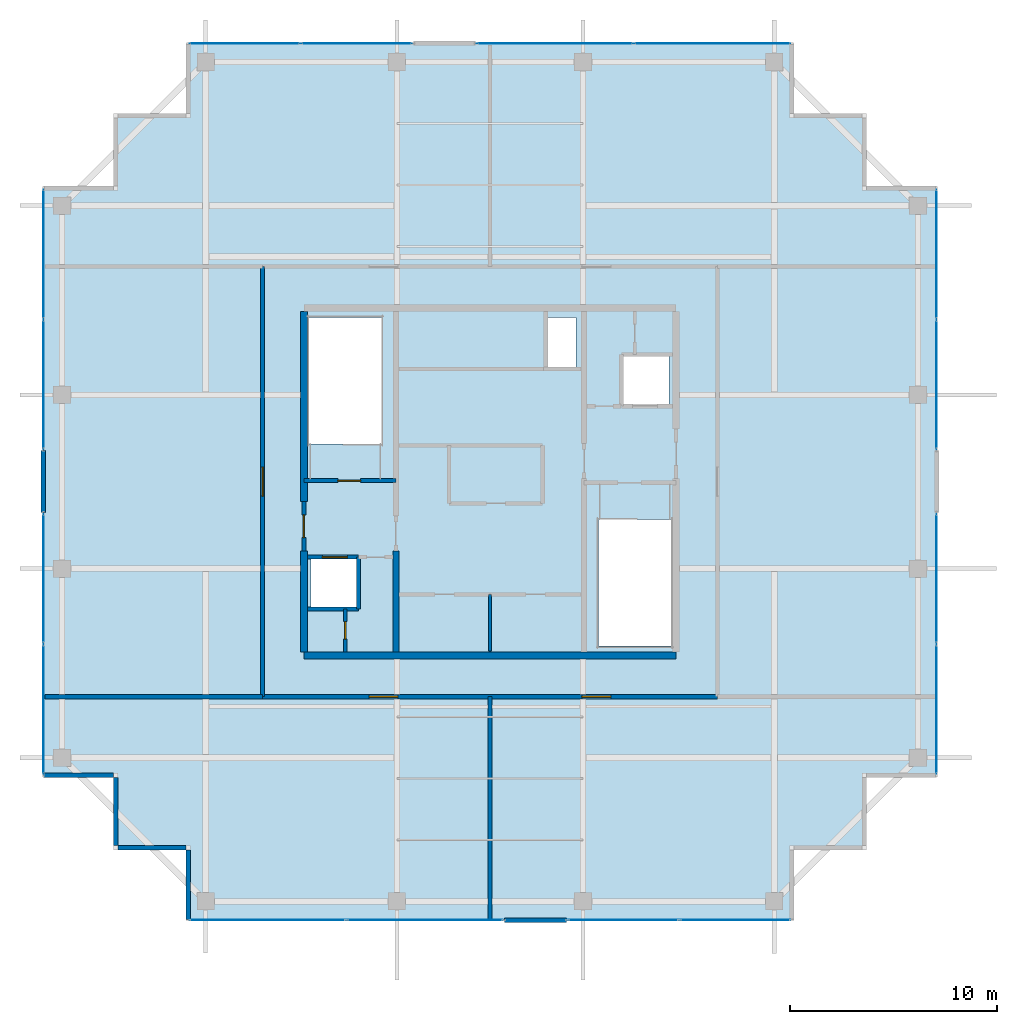
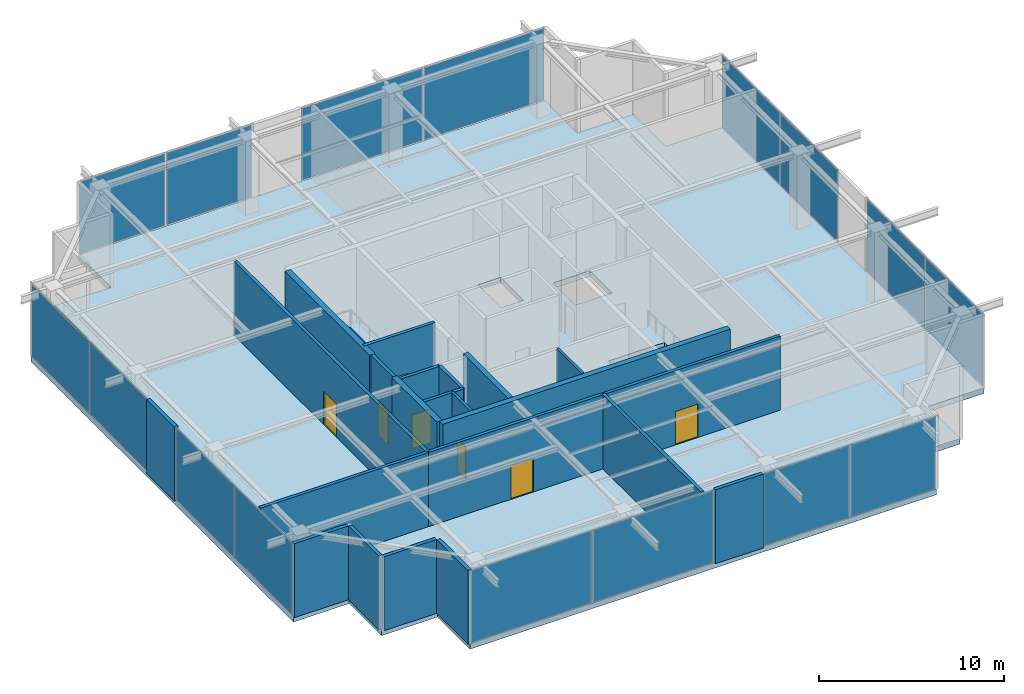
# One storey, part 24 of 27: 21 walls, 16 plates, 7 doors, 1 slab, 7 openings, 8 elements without a shape of their own.
"""IFC4 building model written with IfcOpenShell, lengths in metres."""

from ifc_helpers import new_model, si_unit, direction, frame, frame_2d, origin, origin_2d, place, context, subcontext, project, spatial, polyline, rectangle, outline, extrude, source, transform, mapped, material, layer, layer_set, type_object, element, fill, aggregate, save


model = new_model("IFC4")

# Units and contexts
model_context = context("Model", 3, precision=1e-05, world=origin(), true_north=direction((0.0, 1.0)))
body_context = subcontext(model_context, "Body", "Model", "MODEL_VIEW")
ifc_project = project(units=[si_unit("LENGTHUNIT", "METRE"), si_unit("AREAUNIT", "SQUARE_METRE"), si_unit("VOLUMEUNIT", "CUBIC_METRE"), si_unit("PLANEANGLEUNIT", "RADIAN"), si_unit("MASSUNIT", "GRAM", prefix="KILO")], contexts=[model_context])

# Site, building, storey
site_placement = place(None, origin())
site = spatial("IfcSite", under=ifc_project, at=site_placement, CompositionType="ELEMENT")
building_placement = place(site_placement, origin())
building = spatial("IfcBuilding", under=site, at=building_placement, Name="Serunith Strait Residences", CompositionType="ELEMENT")
storey_placement = place(building_placement, frame((0.0, 0.0, 365.75)))
storey = spatial("IfcBuildingStorey", under=building, at=storey_placement, Name="L89", CompositionType="ELEMENT", Elevation=365.75)

# Slab
ifc_material_1 = material(Name="Concrete C70/85", Category="concrete")
ifc_layer_1 = layer(ifc_material_1, 0.360107421875, Name="Concrete C70/85")
ifc_layer_set_1 = layer_set([ifc_layer_1], Name="Concrete C70/85")
slab_type = type_object("IfcSlabType", Name="SLB-PLT-360", PredefinedType="FLOOR", material=ifc_layer_set_1)
slab_placement = place(storey_placement, frame((0.0, 0.0, -0.360107421875)))
element("IfcSlab", 1, at=slab_placement, inside=storey, type_object=slab_type, Name="L89 Structural Floor Plate", PredefinedType="FLOOR", context=body_context, shape_type="SweptSolid", body=[
    extrude(outline(polyline([(17.800048828125, 7.5), (14.300048828125, 7.5), (14.300048828125, 11.0), (10.800048828125, 11.0), (10.800048828125, 39.39990234375), (14.300048828125, 39.39990234375), (14.300048828125, 42.89990234375), (17.800048828125, 42.89990234375), (17.800048828125, 46.39990234375), (47.0, 46.39990234375), (47.0, 42.89990234375), (50.5, 42.89990234375), (50.5, 39.39990234375), (54.0, 39.39990234375), (54.0, 11.0), (50.5, 11.0), (50.5, 7.5), (47.0, 7.5), (47.0, 4.0), (17.800048828125, 4.0), (17.800048828125, 7.5)]), holes=[polyline([(41.14990234375, 23.3701171875), (37.64990234375, 23.3701171875), (37.64990234375, 17.25), (41.14990234375, 17.25), (41.14990234375, 23.3701171875)]), polyline([(38.75, 31.25), (38.75, 28.85009765625), (41.050048828125, 28.85009765625), (41.050048828125, 31.25), (38.75, 31.25)]), polyline([(36.550048828125, 33.14990234375), (35.14990234375, 33.14990234375), (35.14990234375, 30.64990234375), (36.550048828125, 30.64990234375), (36.550048828125, 33.14990234375)]), polyline([(23.64990234375, 33.14990234375), (23.64990234375, 27.030029296875), (27.14990234375, 27.030029296875), (27.14990234375, 33.14990234375), (23.64990234375, 33.14990234375)]), polyline([(23.75, 21.550048828125), (23.75, 19.14990234375), (26.050048828125, 19.14990234375), (26.050048828125, 21.550048828125), (23.75, 21.550048828125)])]), origin(), (0.0, 0.0, 1.0), 0.360107421875),
])

# Curtain wall, plates
ifc_material_2 = material(Name="Pale-Silver Anodised Aluminium", Category="aluminium")
ifc_layer_2 = layer(ifc_material_2, 0.199951171875, Name="Pale-Silver Anodised Aluminium")
ifc_layer_set_2 = layer_set([ifc_layer_2], Name="Pale-Silver Anodised Aluminium")
curtain_wall_type = type_object("IfcCurtainWallType", Name="CW-SYS7", PredefinedType="NOTDEFINED", material=ifc_layer_set_2)
curtain_wall_1_placement = place(storey_placement, origin())
curtain_wall_1 = element("IfcCurtainWall", 2, at=curtain_wall_1_placement, inside=storey, type_object=curtain_wall_type, Name="L89 S Unitised Fritted Curtain Wall", PredefinedType="NOTDEFINED")
ifc_material_3 = material(Name="Crown Conservatory Fritted Glazing 26mm", Category="glass")
ifc_layer_3 = layer(ifc_material_3, 0.02587890625, Name="Crown Conservatory Fritted Glazing 26mm")
ifc_layer_set_3 = layer_set([ifc_layer_3], Name="Crown Conservatory Fritted Glazing 26mm")
plate_type = type_object("IfcPlateType", Name="CW-SYS7-PNL", PredefinedType="CURTAIN_PANEL", material=ifc_layer_set_3)
shared_shape_1 = source(origin(), body_context, "Body", "SweptSolid", [
    extrude(rectangle(XDim=7.5419921875, YDim=0.02587890625, at=origin_2d()), origin(), (0.0, 0.0, 1.0), 4.764892578125),
])
plate_1_placement = place(storey_placement, frame((21.64306640625, 4.0, 0.06005859375), z_axis=(0.0, 0.0, 1.0), x_axis=(1.0, 0.0, 0.0)))
plate_1 = element("IfcPlate", 3, at=plate_1_placement, type_object=plate_type, Name="CW-7 panel 1.1", PredefinedType="CURTAIN_PANEL", context=body_context, shape_type="MappedRepresentation", body=[
    mapped(shared_shape_1, transform((0.0, 0.0, 0.0), scale=1.0)),
])
plate_2_placement = place(storey_placement, frame((29.257080078125, 4.0, 0.06005859375), z_axis=(0.0, 0.0, 1.0), x_axis=(1.0, 0.0, 0.0)))
plate_2 = element("IfcPlate", 4, at=plate_2_placement, type_object=plate_type, Name="CW-7 panel 2.1", PredefinedType="CURTAIN_PANEL", context=body_context, shape_type="MappedRepresentation", body=[
    mapped(shared_shape_1, transform((0.0, 0.0, 0.0), scale=1.0)),
])
aggregate(curtain_wall_1, [plate_1, plate_2])

curtain_wall_2_placement = place(storey_placement, origin())
curtain_wall_2 = element("IfcCurtainWall", 5, at=curtain_wall_2_placement, inside=storey, type_object=curtain_wall_type, Name="L89 N Unitised Fritted Curtain Wall", PredefinedType="NOTDEFINED")
plate_3_placement = place(storey_placement, frame((43.156982421875, 46.39990234375, 0.06005859375), z_axis=(0.0, 0.0, 1.0), x_axis=(-1.0, 0.0, 0.0)))
plate_3 = element("IfcPlate", 6, at=plate_3_placement, type_object=plate_type, Name="CW-7 panel 1.1", PredefinedType="CURTAIN_PANEL", context=body_context, shape_type="MappedRepresentation", body=[
    mapped(shared_shape_1, transform((0.0, 0.0, 0.0), scale=1.0)),
])
plate_4_placement = place(storey_placement, frame((35.54296875, 46.39990234375, 0.06005859375), z_axis=(0.0, 0.0, 1.0), x_axis=(-1.0, 0.0, 0.0)))
plate_4 = element("IfcPlate", 7, at=plate_4_placement, type_object=plate_type, Name="CW-7 panel 2.1", PredefinedType="CURTAIN_PANEL", context=body_context, shape_type="MappedRepresentation", body=[
    mapped(shared_shape_1, transform((0.0, 0.0, 0.0), scale=1.0)),
])
aggregate(curtain_wall_2, [plate_3, plate_4])

curtain_wall_3_placement = place(storey_placement, origin())
curtain_wall_3 = element("IfcCurtainWall", 8, at=curtain_wall_3_placement, inside=storey, type_object=curtain_wall_type, Name="L89 S Unitised Fritted Curtain Wall", PredefinedType="NOTDEFINED")
shared_shape_2 = source(origin(), body_context, "Body", "SweptSolid", [
    extrude(rectangle(XDim=5.342041015625, YDim=0.02587890625, at=origin_2d()), origin(), (0.0, 0.0, 1.0), 4.764892578125),
])
plate_5_placement = place(storey_placement, frame((38.843017578125, 4.0, 0.06005859375), z_axis=(0.0, 0.0, 1.0), x_axis=(1.0, 0.0, 0.0)))
plate_5 = element("IfcPlate", 9, at=plate_5_placement, type_object=plate_type, Name="CW-7 panel 1.1", PredefinedType="CURTAIN_PANEL", context=body_context, shape_type="MappedRepresentation", body=[
    mapped(shared_shape_2, transform((0.0, 0.0, 0.0), scale=1.0)),
])
plate_6_placement = place(storey_placement, frame((44.257080078125, 4.0, 0.06005859375), z_axis=(0.0, 0.0, 1.0), x_axis=(1.0, 0.0, 0.0)))
plate_6 = element("IfcPlate", 10, at=plate_6_placement, type_object=plate_type, Name="CW-7 panel 2.1", PredefinedType="CURTAIN_PANEL", context=body_context, shape_type="MappedRepresentation", body=[
    mapped(shared_shape_2, transform((0.0, 0.0, 0.0), scale=1.0)),
])
aggregate(curtain_wall_3, [plate_5, plate_6])

curtain_wall_4_placement = place(storey_placement, origin())
curtain_wall_4 = element("IfcCurtainWall", 11, at=curtain_wall_4_placement, inside=storey, type_object=curtain_wall_type, Name="L89 N Unitised Fritted Curtain Wall", PredefinedType="NOTDEFINED")
plate_7_placement = place(storey_placement, frame((25.95703125, 46.39990234375, 0.06005859375), z_axis=(0.0, 0.0, 1.0), x_axis=(-1.0, 0.0, 0.0)))
plate_7 = element("IfcPlate", 12, at=plate_7_placement, type_object=plate_type, Name="CW-7 panel 1.1", PredefinedType="CURTAIN_PANEL", context=body_context, shape_type="MappedRepresentation", body=[
    mapped(shared_shape_2, transform((0.0, 0.0, 0.0), scale=1.0)),
])
plate_8_placement = place(storey_placement, frame((20.54296875, 46.39990234375, 0.06005859375), z_axis=(0.0, 0.0, 1.0), x_axis=(-1.0, 0.0, 0.0)))
plate_8 = element("IfcPlate", 13, at=plate_8_placement, type_object=plate_type, Name="CW-7 panel 2.1", PredefinedType="CURTAIN_PANEL", context=body_context, shape_type="MappedRepresentation", body=[
    mapped(shared_shape_2, transform((0.0, 0.0, 0.0), scale=1.0)),
])
aggregate(curtain_wall_4, [plate_7, plate_8])

curtain_wall_5_placement = place(storey_placement, origin())
curtain_wall_5 = element("IfcCurtainWall", 14, at=curtain_wall_5_placement, inside=storey, type_object=curtain_wall_type, Name="L89 E Unitised Fritted Curtain Wall", PredefinedType="NOTDEFINED")
shared_shape_3 = source(origin(), body_context, "Body", "SweptSolid", [
    extrude(rectangle(XDim=6.241943359375, YDim=0.02587890625, at=origin_2d()), origin(), (0.0, 0.0, 1.0), 4.764892578125),
])
plate_9_placement = place(storey_placement, frame((54.0, 14.193115234375, 0.06005859375), z_axis=(0.0, 0.0, 1.0), x_axis=(0.0, 1.0, 0.0)))
plate_9 = element("IfcPlate", 15, at=plate_9_placement, type_object=plate_type, Name="CW-7 panel 1.1", PredefinedType="CURTAIN_PANEL", context=body_context, shape_type="MappedRepresentation", body=[
    mapped(shared_shape_3, transform((0.0, 0.0, 0.0), scale=1.0)),
])
plate_10_placement = place(storey_placement, frame((54.0, 20.507080078125, 0.06005859375), z_axis=(0.0, 0.0, 1.0), x_axis=(0.0, 1.0, 0.0)))
plate_10 = element("IfcPlate", 16, at=plate_10_placement, type_object=plate_type, Name="CW-7 panel 2.1", PredefinedType="CURTAIN_PANEL", context=body_context, shape_type="MappedRepresentation", body=[
    mapped(shared_shape_3, transform((0.0, 0.0, 0.0), scale=1.0)),
])
aggregate(curtain_wall_5, [plate_9, plate_10])

curtain_wall_6_placement = place(storey_placement, origin())
curtain_wall_6 = element("IfcCurtainWall", 17, at=curtain_wall_6_placement, inside=storey, type_object=curtain_wall_type, Name="L89 E Unitised Fritted Curtain Wall", PredefinedType="NOTDEFINED")
plate_11_placement = place(storey_placement, frame((54.0, 29.89306640625, 0.06005859375), z_axis=(0.0, 0.0, 1.0), x_axis=(0.0, 1.0, 0.0)))
plate_11 = element("IfcPlate", 18, at=plate_11_placement, type_object=plate_type, Name="CW-7 panel 1.1", PredefinedType="CURTAIN_PANEL", context=body_context, shape_type="MappedRepresentation", body=[
    mapped(shared_shape_3, transform((0.0, 0.0, 0.0), scale=1.0)),
])
plate_12_placement = place(storey_placement, frame((54.0, 36.20703125, 0.06005859375), z_axis=(0.0, 0.0, 1.0), x_axis=(0.0, 1.0, 0.0)))
plate_12 = element("IfcPlate", 19, at=plate_12_placement, type_object=plate_type, Name="CW-7 panel 2.1", PredefinedType="CURTAIN_PANEL", context=body_context, shape_type="MappedRepresentation", body=[
    mapped(shared_shape_3, transform((0.0, 0.0, 0.0), scale=1.0)),
])
aggregate(curtain_wall_6, [plate_11, plate_12])

curtain_wall_7_placement = place(storey_placement, origin())
curtain_wall_7 = element("IfcCurtainWall", 20, at=curtain_wall_7_placement, inside=storey, type_object=curtain_wall_type, Name="L89 W Unitised Fritted Curtain Wall", PredefinedType="NOTDEFINED")
plate_13_placement = place(storey_placement, frame((10.800048828125, 36.20703125, 0.06005859375), z_axis=(0.0, 0.0, 1.0), x_axis=(0.0, -1.0, 0.0)))
plate_13 = element("IfcPlate", 21, at=plate_13_placement, type_object=plate_type, Name="CW-7 panel 1.1", PredefinedType="CURTAIN_PANEL", context=body_context, shape_type="MappedRepresentation", body=[
    mapped(shared_shape_3, transform((0.0, 0.0, 0.0), scale=1.0)),
])
plate_14_placement = place(storey_placement, frame((10.800048828125, 29.89306640625, 0.06005859375), z_axis=(0.0, 0.0, 1.0), x_axis=(0.0, -1.0, 0.0)))
plate_14 = element("IfcPlate", 22, at=plate_14_placement, type_object=plate_type, Name="CW-7 panel 2.1", PredefinedType="CURTAIN_PANEL", context=body_context, shape_type="MappedRepresentation", body=[
    mapped(shared_shape_3, transform((0.0, 0.0, 0.0), scale=1.0)),
])
aggregate(curtain_wall_7, [plate_13, plate_14])

curtain_wall_8_placement = place(storey_placement, origin())
curtain_wall_8 = element("IfcCurtainWall", 23, at=curtain_wall_8_placement, inside=storey, type_object=curtain_wall_type, Name="L89 W Unitised Fritted Curtain Wall", PredefinedType="NOTDEFINED")
plate_15_placement = place(storey_placement, frame((10.800048828125, 20.507080078125, 0.06005859375), z_axis=(0.0, 0.0, 1.0), x_axis=(0.0, -1.0, 0.0)))
plate_15 = element("IfcPlate", 24, at=plate_15_placement, type_object=plate_type, Name="CW-7 panel 1.1", PredefinedType="CURTAIN_PANEL", context=body_context, shape_type="MappedRepresentation", body=[
    mapped(shared_shape_3, transform((0.0, 0.0, 0.0), scale=1.0)),
])
plate_16_placement = place(storey_placement, frame((10.800048828125, 14.193115234375, 0.06005859375), z_axis=(0.0, 0.0, 1.0), x_axis=(0.0, -1.0, 0.0)))
plate_16 = element("IfcPlate", 25, at=plate_16_placement, type_object=plate_type, Name="CW-7 panel 2.1", PredefinedType="CURTAIN_PANEL", context=body_context, shape_type="MappedRepresentation", body=[
    mapped(shared_shape_3, transform((0.0, 0.0, 0.0), scale=1.0)),
])
aggregate(curtain_wall_8, [plate_15, plate_16])

# Walls
ifc_material_4 = material(Name="Pale-Champagne Aluminium Insulated Panel", Category="aluminium")
ifc_layer_4 = layer(ifc_material_4, 0.219970703125, Name="Pale-Champagne Aluminium Insulated Panel")
ifc_layer_set_4 = layer_set([ifc_layer_4], Name="Pale-Champagne Aluminium Insulated Panel")
wall_type_1 = type_object("IfcWallType", Name="EW-ALUM-220", PredefinedType="ELEMENTEDWALL", material=ifc_layer_set_4)
for number, where, z_axis, x_axis, name in (
    (26, (33.10009765625, 4.0, 0.0), (0.0, 0.0, 1.0), (1.0, 0.0, 0.0), "L89 S Facade Pier Wall"),
    (27, (10.800048828125, 26.699951171875, 0.0), (0.0, 0.0, 1.0), (0.0, -1.0, 0.0), "L89 W Facade Pier Wall"),
):
    element("IfcWall", number, at=place(storey_placement, frame(where, z_axis=z_axis, x_axis=x_axis)), inside=storey, type_object=wall_type_1, Name=name, PredefinedType="ELEMENTEDWALL", context=body_context, shape_type="SweptSolid", body=[
        extrude(rectangle(XDim=3.0, YDim=0.219970703125, at=frame_2d((1.5, 0.0))), origin(), (0.0, 0.0, 1.0), 4.885009765625),
    ])
wall_1_placement = place(storey_placement, frame((10.800048828125, 11.0, 0.0), z_axis=(0.0, 0.0, 1.0), x_axis=(1.0, 0.0, 0.0)))
element("IfcWall", 28, at=wall_1_placement, inside=storey, type_object=wall_type_1, Name="L89 Girih Serrated Corner Wall 17", PredefinedType="ELEMENTEDWALL", context=body_context, shape_type="SweptSolid", body=[
    extrude(rectangle(XDim=3.389892578125, YDim=0.219970703125, at=frame_2d((1.69482421875, 0.0))), origin(), (0.0, 0.0, 1.0), 4.885009765625),
])
wall_2_placement = place(storey_placement, frame((14.300048828125, 10.889892578125, 0.0), z_axis=(0.0, 0.0, 1.0), x_axis=(0.0, -1.0, 0.0)))
element("IfcWall", 29, at=wall_2_placement, inside=storey, type_object=wall_type_1, Name="L89 Girih Serrated Corner Wall 18", PredefinedType="ELEMENTEDWALL", context=body_context, shape_type="SweptSolid", body=[
    extrude(rectangle(XDim=3.27978515625, YDim=0.219970703125, at=frame_2d((1.639892578125, 0.0))), origin(), (0.0, 0.0, 1.0), 4.885009765625),
])
wall_3_placement = place(storey_placement, frame((14.409912109375, 7.5, 0.0), z_axis=(0.0, 0.0, 1.0), x_axis=(1.0, 0.0, 0.0)))
element("IfcWall", 30, at=wall_3_placement, inside=storey, type_object=wall_type_1, Name="L89 Girih Serrated Corner Wall 19", PredefinedType="ELEMENTEDWALL", context=body_context, shape_type="SweptSolid", body=[
    extrude(rectangle(XDim=3.280029296875, YDim=0.219970703125, at=frame_2d((1.64013671875, 0.0))), origin(), (0.0, 0.0, 1.0), 4.885009765625),
])
wall_4_placement = place(storey_placement, frame((17.800048828125, 7.389892578125, 0.0), z_axis=(0.0, 0.0, 1.0), x_axis=(0.0, -1.0, 0.0)))
element("IfcWall", 31, at=wall_4_placement, inside=storey, type_object=wall_type_1, Name="L89 Girih Serrated Corner Wall 20", PredefinedType="ELEMENTEDWALL", context=body_context, shape_type="SweptSolid", body=[
    extrude(rectangle(XDim=3.389892578125, YDim=0.219970703125, at=frame_2d((1.69482421875, 0.0))), origin(), (0.0, 0.0, 1.0), 4.885009765625),
])

# Wall, opening, door
ifc_material_5 = material(Name="Fire-rated masonry service closet wall", Category="masonry")
ifc_layer_5 = layer(ifc_material_5, 0.14990234375, Name="Fire-rated masonry service closet wall")
ifc_layer_set_5 = layer_set([ifc_layer_5], Name="Fire-rated masonry service closet wall")
wall_type_2 = type_object("IfcWallType", Name="IW-BOH-150", PredefinedType="PARTITIONING", material=ifc_layer_set_5)
wall_5_placement = place(storey_placement, frame((25.39990234375, 16.97509765625, 0.0), z_axis=(0.0, 0.0, 1.0), x_axis=(0.0, 1.0, 0.0)))
wall_5 = element("IfcWall", 32, at=wall_5_placement, inside=storey, type_object=wall_type_2, Name="L89 Partition Wall 012", PredefinedType="PARTITIONING", context=body_context, shape_type="SweptSolid", body=[
    extrude(rectangle(XDim=2.074951171875, YDim=0.14990234375, at=frame_2d((1.03759765625, 0.0))), origin(), (0.0, 0.0, 1.0), 4.89990234375),
])
opening_1_placement = place(wall_5_placement, frame((0.612060546875, 0.0, 0.0)))
opening_1 = element("IfcOpeningElement", 33, at=opening_1_placement, cuts=wall_5, Name="Opening FD-850", PredefinedType="OPENING", context=body_context, shape_type="SweptSolid", body=[
    extrude(rectangle(XDim=0.85009765625, YDim=2.10009765625, at=frame_2d((0.425048828125, 1.050048828125))), frame((0.0, 0.0849609375, 0.0), z_axis=(0.0, -1.0, 0.0), x_axis=(1.0, 0.0, 0.0)), (0.0, 0.0, 1.0), 0.169921875),
])
ifc_material_6 = material(Name="Powder-coated steel service closet door", Category="steel")
door_type_1 = type_object("IfcDoorType", Name="FD-BOH-850", OperationType="NOTDEFINED", PredefinedType="DOOR", material=ifc_material_6)
shared_shape_4 = source(origin(), body_context, "Body", "SweptSolid", [
    extrude(rectangle(XDim=0.85009765625, YDim=2.10009765625, at=frame_2d((0.425048828125, 1.050048828125))), frame((0.0, 0.02490234375, 0.0), z_axis=(0.0, -1.0, 0.0), x_axis=(1.0, 0.0, 0.0)), (0.0, 0.0, 1.0), 0.050048828125),
])
door_1_placement = place(opening_1_placement, origin())
door_1 = element("IfcDoor", 34, at=door_1_placement, inside=storey, type_object=door_type_1, Name="L89 Sprinkler Plant Door", OperationType="SINGLE_SWING_RIGHT", OverallHeight=2.10009765625, OverallWidth=0.85009765625, PredefinedType="DOOR", context=body_context, shape_type="MappedRepresentation", body=[
    mapped(shared_shape_4, transform((0.0, 0.0, 0.0), scale=1.0)),
])
fill(opening_1, door_1)

# Wall
wall_6_placement = place(storey_placement, frame((32.39990234375, 17.02001953125, 0.0), z_axis=(0.0, 0.0, 1.0), x_axis=(0.0, 1.0, 0.0)))
element("IfcWall", 35, at=wall_6_placement, inside=storey, type_object=wall_type_2, Name="L89 Partition Wall 016", PredefinedType="PARTITIONING", context=body_context, shape_type="SweptSolid", body=[
    extrude(rectangle(XDim=2.72998046875, YDim=0.14990234375, at=frame_2d((1.364990234375, 0.0))), origin(), (0.0, 0.0, 1.0), 4.89990234375),
])

# Wall, openings, doors
ifc_material_7 = material(Name="Acoustic concrete block plant wall", Category="concrete")
ifc_layer_6 = layer(ifc_material_7, 0.199951171875, Name="Acoustic concrete block plant wall")
ifc_layer_set_6 = layer_set([ifc_layer_6], Name="Acoustic concrete block plant wall")
wall_type_3 = type_object("IfcWallType", Name="IW-PLANT-200", PredefinedType="STANDARD", material=ifc_layer_set_6)
wall_7_placement = place(storey_placement, frame((21.39990234375, 14.800048828125, 0.0), z_axis=(0.0, 0.0, 1.0), x_axis=(1.0, 0.0, 0.0)))
wall_7 = element("IfcWall", 36, at=wall_7_placement, inside=storey, type_object=wall_type_3, Name="L89 Partition Wall 021", PredefinedType="STANDARD", context=body_context, shape_type="SweptSolid", body=[
    extrude(rectangle(XDim=22.0, YDim=0.199951171875, at=frame_2d((11.0, 0.0))), origin(), (0.0, 0.0, 1.0), 4.89990234375),
])
opening_2_placement = place(wall_7_placement, frame((5.14990234375, 0.0, 0.0)))
opening_2 = element("IfcOpeningElement", 37, at=opening_2_placement, cuts=wall_7, Name="Opening FD-1400", PredefinedType="OPENING", context=body_context, shape_type="SweptSolid", body=[
    extrude(rectangle(XDim=1.39990234375, YDim=2.199951171875, at=frame_2d((0.699951171875, 1.10009765625))), frame((0.0, 0.10986328125, 0.0), z_axis=(0.0, -1.0, 0.0), x_axis=(1.0, 0.0, 0.0)), (0.0, 0.0, 1.0), 0.219970703125),
])
opening_3_placement = place(wall_7_placement, frame((15.449951171875, 0.0, 0.0)))
opening_3 = element("IfcOpeningElement", 38, at=opening_3_placement, cuts=wall_7, Name="Opening FD-1400", PredefinedType="OPENING", context=body_context, shape_type="SweptSolid", body=[
    extrude(rectangle(XDim=1.39990234375, YDim=2.199951171875, at=frame_2d((0.699951171875, 1.10009765625))), frame((0.0, 0.10986328125, 0.0), z_axis=(0.0, -1.0, 0.0), x_axis=(1.0, 0.0, 0.0)), (0.0, 0.0, 1.0), 0.219970703125),
])
ifc_material_8 = material(Name="Acoustic double-skin steel plant door", Category="steel")
door_type_2 = type_object("IfcDoorType", Name="FD-PLANT-1400", OperationType="DOUBLE_DOOR_SINGLE_SWING", PredefinedType="DOOR", material=ifc_material_8)
shared_shape_5 = source(origin(), body_context, "Body", "SweptSolid", [
    extrude(rectangle(XDim=1.39990234375, YDim=2.199951171875, at=frame_2d((0.699951171875, 1.10009765625))), frame((0.0, 0.02490234375, 0.0), z_axis=(0.0, -1.0, 0.0), x_axis=(1.0, 0.0, 0.0)), (0.0, 0.0, 1.0), 0.050048828125),
])
door_2_placement = place(opening_2_placement, origin())
door_2 = element("IfcDoor", 39, at=door_2_placement, inside=storey, type_object=door_type_2, Name="Crown Cooling Plant Door", OperationType="DOUBLE_DOOR_SINGLE_SWING", OverallHeight=2.199951171875, OverallWidth=1.39990234375, PredefinedType="DOOR", context=body_context, shape_type="MappedRepresentation", body=[
    mapped(shared_shape_5, transform((0.0, 0.0, 0.0), scale=1.0)),
])
fill(opening_2, door_2)
door_3_placement = place(opening_3_placement, origin())
door_3 = element("IfcDoor", 40, at=door_3_placement, inside=storey, type_object=door_type_2, Name="Rainwater Tank Plant Door", OperationType="DOUBLE_DOOR_SINGLE_SWING", OverallHeight=2.199951171875, OverallWidth=1.39990234375, PredefinedType="DOOR", context=body_context, shape_type="MappedRepresentation", body=[
    mapped(shared_shape_5, transform((0.0, 0.0, 0.0), scale=1.0)),
])
fill(opening_3, door_3)

# Wall, opening, door
wall_8_placement = place(storey_placement, frame((21.39990234375, 14.800048828125, 0.0), z_axis=(0.0, 0.0, 1.0), x_axis=(0.0, 1.0, 0.0)))
wall_8 = element("IfcWall", 41, at=wall_8_placement, inside=storey, type_object=wall_type_3, Name="L89 Partition Wall 023", PredefinedType="STANDARD", context=body_context, shape_type="SweptSolid", body=[
    extrude(rectangle(XDim=20.800048828125, YDim=0.199951171875, at=frame_2d((10.39990234375, 0.0))), origin(), (0.0, 0.0, 1.0), 4.89990234375),
])
opening_4_placement = place(wall_8_placement, frame((9.699951171875, 0.0, 0.0)))
opening_4 = element("IfcOpeningElement", 42, at=opening_4_placement, cuts=wall_8, Name="Opening FD-1400", PredefinedType="OPENING", context=body_context, shape_type="SweptSolid", body=[
    extrude(rectangle(XDim=1.39990234375, YDim=2.199951171875, at=frame_2d((0.699951171875, 1.10009765625))), frame((0.0, 0.10986328125, 0.0), z_axis=(0.0, -1.0, 0.0), x_axis=(1.0, 0.0, 0.0)), (0.0, 0.0, 1.0), 0.219970703125),
])
door_4_placement = place(opening_4_placement, origin())
door_4 = element("IfcDoor", 43, at=door_4_placement, inside=storey, type_object=door_type_2, Name="West AHU Plant Door", OperationType="DOUBLE_DOOR_SINGLE_SWING", OverallHeight=2.199951171875, OverallWidth=1.39990234375, PredefinedType="DOOR", context=body_context, shape_type="MappedRepresentation", body=[
    mapped(shared_shape_5, transform((0.0, 0.0, 0.0), scale=1.0)),
])
fill(opening_4, door_4)

# Walls
wall_9_placement = place(storey_placement, frame((10.882080078125, 14.800048828125, 0.0), z_axis=(0.0, 0.0, 1.0), x_axis=(1.0, 0.0, 0.0)))
element("IfcWall", 44, at=wall_9_placement, inside=storey, type_object=wall_type_3, Name="L89 Partition Wall 025", PredefinedType="STANDARD", context=body_context, shape_type="SweptSolid", body=[
    extrude(rectangle(XDim=10.515869140625, YDim=0.199951171875, at=frame_2d((5.2578125, 0.0))), origin(), (0.0, 0.0, 1.0), 4.89990234375),
])
wall_10_placement = place(storey_placement, frame((32.39990234375, 4.08203125, 0.0), z_axis=(0.0, 0.0, 1.0), x_axis=(0.0, 1.0, 0.0)))
element("IfcWall", 45, at=wall_10_placement, inside=storey, type_object=wall_type_3, Name="L89 Partition Wall 029", PredefinedType="STANDARD", context=body_context, shape_type="SweptSolid", body=[
    extrude(rectangle(XDim=10.718017578125, YDim=0.199951171875, at=frame_2d((5.35888671875, 0.0))), origin(), (0.0, 0.0, 1.0), 4.89990234375),
])

# Wall, opening, door
ifc_material_9 = material(Name="Autoclaved aerated concrete blockwork", Category="masonry")
ifc_layer_7 = layer(ifc_material_9, 0.199951171875, Name="Autoclaved aerated concrete blockwork")
ifc_layer_set_7 = layer_set([ifc_layer_7], Name="Autoclaved aerated concrete blockwork")
wall_type_4 = type_object("IfcWallType", Name="IW-SHAFT-200", PredefinedType="STANDARD", material=ifc_layer_set_7)
wall_11_placement = place(storey_placement, frame((23.39990234375, 25.25, 0.0), z_axis=(0.0, 0.0, 1.0), x_axis=(1.0, 0.0, 0.0)))
wall_11 = element("IfcWall", 46, at=wall_11_placement, inside=storey, type_object=wall_type_4, Name="L89 ST-1 South Shaft Wall", PredefinedType="STANDARD", context=body_context, shape_type="SweptSolid", body=[
    extrude(rectangle(XDim=4.4501953125, YDim=0.199951171875, at=frame_2d((2.22509765625, 0.0))), origin(), (0.0, 0.0, 1.0), 4.89990234375),
])
opening_5_placement = place(wall_11_placement, frame((1.64990234375, 0.0, 0.0)))
opening_5 = element("IfcOpeningElement", 47, at=opening_5_placement, cuts=wall_11, Name="Opening FD-1100", PredefinedType="OPENING", context=body_context, shape_type="SweptSolid", body=[
    extrude(rectangle(XDim=1.10009765625, YDim=2.14990234375, at=frame_2d((0.550048828125, 1.074951171875))), frame((0.0, 0.10986328125, 0.0), z_axis=(0.0, -1.0, 0.0), x_axis=(1.0, 0.0, 0.0)), (0.0, 0.0, 1.0), 0.219970703125),
])
ifc_material_10 = material(Name="Galvanised steel fire door leaf", Category="steel")
door_type_3 = type_object("IfcDoorType", Name="FD-STAIR-1100", OperationType="NOTDEFINED", PredefinedType="DOOR", material=ifc_material_10)
shared_shape_6 = source(origin(), body_context, "Body", "SweptSolid", [
    extrude(rectangle(XDim=1.10009765625, YDim=2.14990234375, at=frame_2d((0.550048828125, 1.074951171875))), frame((0.0, 0.02490234375, 0.0), z_axis=(0.0, -1.0, 0.0), x_axis=(1.0, 0.0, 0.0)), (0.0, 0.0, 1.0), 0.050048828125),
])
door_5_placement = place(opening_5_placement, origin())
door_5 = element("IfcDoor", 48, at=door_5_placement, inside=storey, type_object=door_type_3, Name="L89 ST-1 Escape Stair Door", OperationType="SINGLE_SWING_LEFT", OverallHeight=2.14990234375, OverallWidth=1.10009765625, PredefinedType="DOOR", context=body_context, shape_type="MappedRepresentation", body=[
    mapped(shared_shape_6, transform((0.0, 0.0, 0.0), scale=1.0)),
])
fill(opening_5, door_5)

wall_12_placement = place(storey_placement, frame((23.574951171875, 21.550048828125, 0.0), z_axis=(0.0, 0.0, 1.0), x_axis=(1.0, 0.0, 0.0)))
wall_12 = element("IfcWall", 49, at=wall_12_placement, inside=storey, type_object=wall_type_4, Name="L89 FL-1 North Shaft Wall", PredefinedType="STANDARD", context=body_context, shape_type="SweptSolid", body=[
    extrude(rectangle(XDim=2.47509765625, YDim=0.199951171875, at=frame_2d((1.237548828125, 0.0))), origin(), (0.0, 0.0, 1.0), 4.89990234375),
])
opening_6_placement = place(wall_12_placement, frame((0.72509765625, 0.0, 0.0)))
opening_6 = element("IfcOpeningElement", 50, at=opening_6_placement, cuts=wall_12, Name="Opening LD-FF1200", PredefinedType="OPENING", context=body_context, shape_type="SweptSolid", body=[
    extrude(rectangle(XDim=1.199951171875, YDim=2.199951171875, at=frame_2d((0.60009765625, 1.10009765625))), frame((0.0, 0.10986328125, 0.0), z_axis=(0.0, -1.0, 0.0), x_axis=(1.0, 0.0, 0.0)), (0.0, 0.0, 1.0), 0.219970703125),
])
ifc_material_11 = material(Name="Brushed stainless steel landing door", Category="steel")
door_type_4 = type_object("IfcDoorType", Name="LD-FF-1200", OperationType="DOUBLE_DOOR_SLIDING", PredefinedType="DOOR", material=ifc_material_11)
shared_shape_7 = source(origin(), body_context, "Body", "SweptSolid", [
    extrude(rectangle(XDim=1.199951171875, YDim=2.199951171875, at=frame_2d((0.60009765625, 1.10009765625))), frame((0.0, 0.02490234375, 0.0), z_axis=(0.0, -1.0, 0.0), x_axis=(1.0, 0.0, 0.0)), (0.0, 0.0, 1.0), 0.050048828125),
])
door_6_placement = place(opening_6_placement, origin())
door_6 = element("IfcDoor", 51, at=door_6_placement, inside=storey, type_object=door_type_4, Name="L89 FL-1 Landing Door", OperationType="DOUBLE_DOOR_SLIDING", OverallHeight=2.199951171875, OverallWidth=1.199951171875, PredefinedType="DOOR", context=body_context, shape_type="MappedRepresentation", body=[
    mapped(shared_shape_7, transform((0.0, 0.0, 0.0), scale=1.0)),
])
fill(opening_6, door_6)

# Walls
wall_13_placement = place(storey_placement, frame((26.050048828125, 19.050048828125, 0.0), z_axis=(0.0, 0.0, 1.0), x_axis=(0.0, 1.0, 0.0)))
element("IfcWall", 52, at=wall_13_placement, inside=storey, type_object=wall_type_4, Name="L89 Partition Wall 001", PredefinedType="STANDARD", context=body_context, shape_type="SweptSolid", body=[
    extrude(rectangle(XDim=2.5, YDim=0.199951171875, at=frame_2d((1.25, 0.0))), origin(), (0.0, 0.0, 1.0), 4.89990234375),
])
wall_14_placement = place(storey_placement, frame((23.574951171875, 19.050048828125, 0.0), z_axis=(0.0, 0.0, 1.0), x_axis=(1.0, 0.0, 0.0)))
element("IfcWall", 53, at=wall_14_placement, inside=storey, type_object=wall_type_4, Name="L89 Partition Wall 002", PredefinedType="STANDARD", context=body_context, shape_type="SweptSolid", body=[
    extrude(rectangle(XDim=2.47509765625, YDim=0.199951171875, at=frame_2d((1.237548828125, 0.0))), origin(), (0.0, 0.0, 1.0), 4.89990234375),
])

# Wall, opening, door
wall_15_placement = place(storey_placement, frame((23.39990234375, 21.85205078125, 0.0), z_axis=(0.0, 0.0, 1.0), x_axis=(0.0, 1.0, 0.0)))
wall_15 = element("IfcWall", 54, at=wall_15_placement, inside=storey, type_object=wall_type_4, Name="L89 Partition Wall 007", PredefinedType="STANDARD", context=body_context, shape_type="SweptSolid", body=[
    extrude(rectangle(XDim=2.39599609375, YDim=0.199951171875, at=frame_2d((1.197998046875, 0.0))), origin(), (0.0, 0.0, 1.0), 4.89990234375),
])
opening_7_placement = place(wall_15_placement, frame((0.64794921875, 0.0, 0.0)))
opening_7 = element("IfcOpeningElement", 55, at=opening_7_placement, cuts=wall_15, Name="Opening FD-FFL", PredefinedType="OPENING", context=body_context, shape_type="SweptSolid", body=[
    extrude(rectangle(XDim=1.10009765625, YDim=2.14990234375, at=frame_2d((0.550048828125, 1.074951171875))), frame((0.0, 0.10986328125, 0.0), z_axis=(0.0, -1.0, 0.0), x_axis=(1.0, 0.0, 0.0)), (0.0, 0.0, 1.0), 0.219970703125),
])
ifc_material_12 = material(Name="Glazed steel smoke-lobby fire door", Category="steel")
door_type_5 = type_object("IfcDoorType", Name="FD-FFL-1100", OperationType="NOTDEFINED", PredefinedType="DOOR", material=ifc_material_12)
door_7_placement = place(opening_7_placement, origin())
door_7 = element("IfcDoor", 56, at=door_7_placement, inside=storey, type_object=door_type_5, Name="L89 FFL-1 Corridor Fire Door", OperationType="SINGLE_SWING_RIGHT", OverallHeight=2.14990234375, OverallWidth=1.10009765625, PredefinedType="DOOR", context=body_context, shape_type="MappedRepresentation", body=[
    mapped(shared_shape_6, transform((0.0, 0.0, 0.0), scale=1.0)),
])
fill(opening_7, door_7)

# Walls
ifc_material_13 = material(Name="Concrete C60/75", Category="concrete")
ifc_layer_8 = layer(ifc_material_13, 0.300048828125, Name="Concrete C60/75")
ifc_layer_set_8 = layer_set([ifc_layer_8], Name="Concrete C60/75")
wall_type_5 = type_object("IfcWallType", Name="SW-300-C60", PredefinedType="SHEAR", material=ifc_layer_set_8)
wall_16_placement = place(storey_placement, frame((27.85009765625, 16.97509765625, -0.360107421875), z_axis=(0.0, 0.0, 1.0), x_axis=(0.0, 1.0, 0.0)))
element("IfcWall", 57, at=wall_16_placement, inside=storey, type_object=wall_type_5, Name="L89 Core Internal West Web South Pier", PredefinedType="SHEAR", context=body_context, shape_type="SweptSolid", body=[
    extrude(rectangle(XDim=4.875, YDim=0.300048828125, at=frame_2d((2.4375, 0.0))), origin(), (0.0, 0.0, 1.0), 5.258056640625),
])
ifc_layer_9 = layer(ifc_material_13, 0.35009765625, Name="Concrete C60/75")
ifc_layer_set_9 = layer_set([ifc_layer_9], Name="Concrete C60/75")
wall_type_6 = type_object("IfcWallType", Name="SW-350-C60", PredefinedType="SHEAR", material=ifc_layer_set_9)
wall_17_placement = place(storey_placement, frame((23.39990234375, 16.800048828125, -0.360107421875), z_axis=(0.0, 0.0, 1.0), x_axis=(1.0, 0.0, 0.0)))
element("IfcWall", 58, at=wall_17_placement, inside=storey, type_object=wall_type_6, Name="L89 Core South Shear Wall", PredefinedType="SHEAR", context=body_context, shape_type="SweptSolid", body=[
    extrude(rectangle(XDim=18.0, YDim=0.35009765625, at=frame_2d((9.0, 0.0))), origin(), (0.0, 0.0, 1.0), 5.258056640625),
])
wall_18_placement = place(storey_placement, frame((23.39990234375, 16.97509765625, -0.360107421875), z_axis=(0.0, 0.0, 1.0), x_axis=(0.0, 1.0, 0.0)))
element("IfcWall", 59, at=wall_18_placement, inside=storey, type_object=wall_type_6, Name="L89 Core West Shear Wall South Pier", PredefinedType="SHEAR", context=body_context, shape_type="SweptSolid", body=[
    extrude(rectangle(XDim=4.875, YDim=0.35009765625, at=frame_2d((2.4375, 0.0))), origin(), (0.0, 0.0, 1.0), 5.258056640625),
])
wall_19_placement = place(storey_placement, frame((23.39990234375, 24.25, -0.360107421875), z_axis=(0.0, 0.0, 1.0), x_axis=(0.0, 1.0, 0.0)))
element("IfcWall", 60, at=wall_19_placement, inside=storey, type_object=wall_type_6, Name="L89 Core West Shear Wall North Pier", PredefinedType="SHEAR", context=body_context, shape_type="SweptSolid", body=[
    extrude(rectangle(XDim=9.175048828125, YDim=0.35009765625, at=frame_2d((4.58740234375, 0.0))), origin(), (0.0, 0.0, 1.0), 5.258056640625),
])

save(model, "model.ifc")
